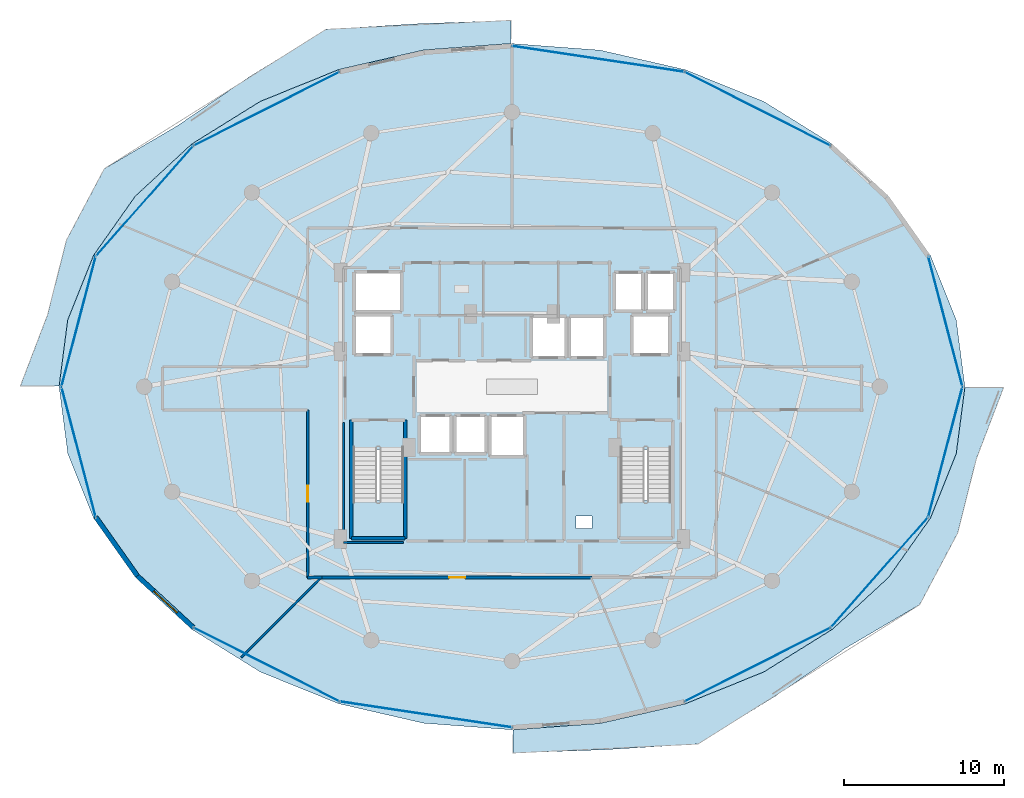
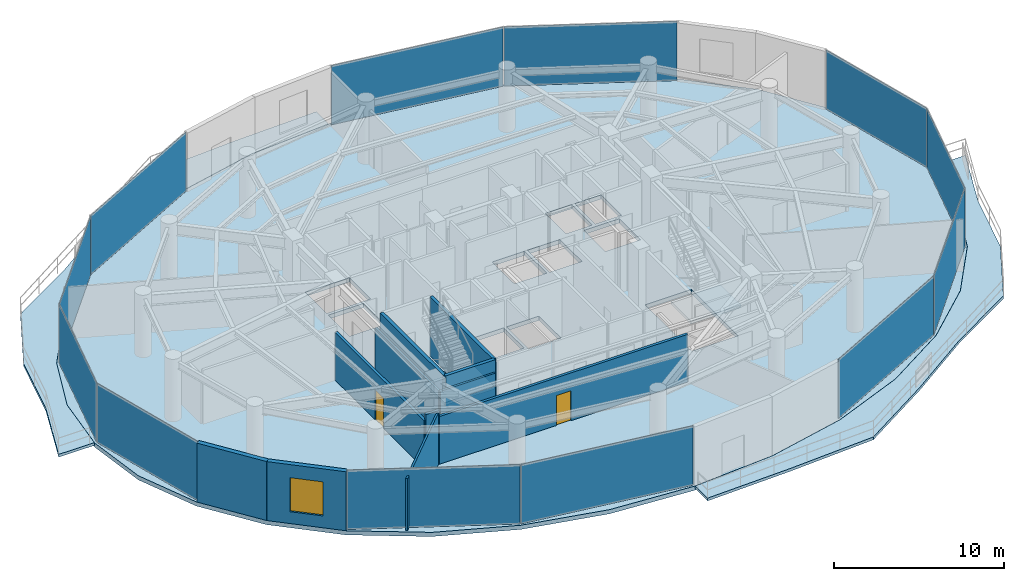
# One storey, part 23 of 31: 12 plates, 11 walls, 5 slabs, 2 doors, 1 window, 3 openings, 6 elements without a shape of their own.
"""IFC4 building model written with IfcOpenShell, lengths in metres."""

from ifc_helpers import new_model, si_unit, direction, frame, frame_2d, origin, origin_2d, place, context, subcontext, project, spatial, polyline, rectangle, outline, extrude, material, layer, layer_set, type_object, element, fill, aggregate, save


model = new_model("IFC4")

# Units and contexts
model_context = context("Model", 3, precision=1e-05, world=origin(), true_north=direction((0.0, 1.0)))
body_context = subcontext(model_context, "Body", "Model", "MODEL_VIEW")
ifc_project = project(units=[si_unit("LENGTHUNIT", "METRE"), si_unit("AREAUNIT", "SQUARE_METRE"), si_unit("VOLUMEUNIT", "CUBIC_METRE"), si_unit("PLANEANGLEUNIT", "RADIAN"), si_unit("MASSUNIT", "GRAM", prefix="KILO")], contexts=[model_context])

# Site, building, storey
site_placement = place(None, origin())
site = spatial("IfcSite", under=ifc_project, at=site_placement, CompositionType="ELEMENT")
building_placement = place(site_placement, origin())
building = spatial("IfcBuilding", under=site, at=building_placement, Name="Vorneva Point Tower", CompositionType="ELEMENT")
storey_placement = place(building_placement, frame((0.0, 0.0, 174.60009765625)))
storey = spatial("IfcBuildingStorey", under=building, at=storey_placement, Name="L47", CompositionType="ELEMENT", Elevation=174.60009765625)

# Curtain wall, plates
ifc_material_1 = material(Name="Pale anodised aluminium", Category="aluminium")
curtain_wall_type = type_object("IfcCurtainWallType", Name="CW-SKY-SYS", PredefinedType="NOTDEFINED", material=ifc_material_1)
curtain_wall_1_placement = place(storey_placement, origin())
curtain_wall_1 = element("IfcCurtainWall", 1, at=curtain_wall_1_placement, inside=storey, type_object=curtain_wall_type, Name="L47 Unitised Curtain Wall CW-L47-R01", PredefinedType="NOTDEFINED")
ifc_material_2 = material(Name="Double low-e laminated glass IGU", Category="glass")
ifc_layer_1 = layer(ifc_material_2, 0.035888671875)
ifc_layer_set_1 = layer_set([ifc_layer_1], Name="Double low-e laminated glass IGU")
plate_type = type_object("IfcPlateType", Name="CW-PNL-VIS", PredefinedType="CURTAIN_PANEL", material=ifc_layer_set_1)
plate_1_placement = place(storey_placement, frame((53.38232421875, 8.589111328125, -0.02001953125), z_axis=(0.0, 0.0, 1.0), x_axis=(0.892514983762, 0.451017742179, 0.0)))
plate_1 = element("IfcPlate", 2, at=plate_1_placement, type_object=plate_type, Name="CW-L47-R01 Glazed Panel 01", PredefinedType="CURTAIN_PANEL", context=body_context, shape_type="SweptSolid", body=[
    extrude(rectangle(XDim=10.21142578125, YDim=0.035888671875, at=origin_2d()), origin(), (0.0, 0.0, 1.0), 4.280029296875),
])
plate_2_placement = place(storey_placement, frame((61.021240234375, 14.366455078125, -0.02001953125), z_axis=(0.0, 0.0, 1.0), x_axis=(0.662110096764, 0.74940657841, 0.0)))
plate_2 = element("IfcPlate", 3, at=plate_2_placement, type_object=plate_type, Name="CW-L47-R01 Glazed Panel 02", PredefinedType="CURTAIN_PANEL", context=body_context, shape_type="SweptSolid", body=[
    extrude(rectangle(XDim=9.1923828125, YDim=0.035888671875, at=origin_2d()), origin(), (0.0, 0.0, 1.0), 4.280029296875),
])
plate_3_placement = place(storey_placement, frame((65.155517578125, 21.914794921875, -0.02001953125), z_axis=(0.0, 0.0, 1.0), x_axis=(0.254365646708, 0.967108121036, 0.0)))
plate_3 = element("IfcPlate", 4, at=plate_3_placement, type_object=plate_type, Name="CW-L47-R01 Glazed Panel 03", PredefinedType="CURTAIN_PANEL", context=body_context, shape_type="SweptSolid", body=[
    extrude(rectangle(XDim=8.398193359375, YDim=0.035888671875, at=origin_2d()), origin(), (0.0, 0.0, 1.0), 4.280029296875),
])
plate_4_placement = place(storey_placement, frame((65.155517578125, 30.085205078125, -0.02001953125), z_axis=(0.0, 0.0, 1.0), x_axis=(-0.254365646708, 0.967108121036, 0.0)))
plate_4 = element("IfcPlate", 5, at=plate_4_placement, type_object=plate_type, Name="CW-L47-R01 Glazed Panel 04", PredefinedType="CURTAIN_PANEL", context=body_context, shape_type="SweptSolid", body=[
    extrude(rectangle(XDim=8.398193359375, YDim=0.035888671875, at=origin_2d()), origin(), (0.0, 0.0, 1.0), 4.280029296875),
])
aggregate(curtain_wall_1, [plate_1, plate_2, plate_3, plate_4])

curtain_wall_2_placement = place(storey_placement, origin())
curtain_wall_2 = element("IfcCurtainWall", 6, at=curtain_wall_2_placement, inside=storey, type_object=curtain_wall_type, Name="L47 Unitised Curtain Wall CW-L47-R02", PredefinedType="NOTDEFINED")
plate_5_placement = place(storey_placement, frame((53.38232421875, 43.410888671875, -0.02001953125), z_axis=(0.0, 0.0, 1.0), x_axis=(-0.892514983762, 0.451017742179, 0.0)))
plate_5 = element("IfcPlate", 7, at=plate_5_placement, type_object=plate_type, Name="CW-L47-R02 Glazed Panel 01", PredefinedType="CURTAIN_PANEL", context=body_context, shape_type="SweptSolid", body=[
    extrude(rectangle(XDim=10.21142578125, YDim=0.035888671875, at=origin_2d()), origin(), (0.0, 0.0, 1.0), 4.280029296875),
])
plate_6_placement = place(storey_placement, frame((43.401611328125, 46.537353515625, -0.02001953125), z_axis=(0.0, 0.0, 1.0), x_axis=(-0.988873520862, 0.148758729957, 0.0)))
plate_6 = element("IfcPlate", 8, at=plate_6_placement, type_object=plate_type, Name="CW-L47-R02 Glazed Panel 02", PredefinedType="CURTAIN_PANEL", context=body_context, shape_type="SweptSolid", body=[
    extrude(rectangle(XDim=10.874755859375, YDim=0.035888671875, at=origin_2d()), origin(), (0.0, 0.0, 1.0), 4.280029296875),
])
aggregate(curtain_wall_2, [plate_5, plate_6])

curtain_wall_3_placement = place(storey_placement, origin())
curtain_wall_3 = element("IfcCurtainWall", 9, at=curtain_wall_3_placement, inside=storey, type_object=curtain_wall_type, Name="L47 Unitised Curtain Wall CW-L47-R03", PredefinedType="NOTDEFINED")
plate_7_placement = place(storey_placement, frame((22.61767578125, 43.410888671875, -0.02001953125), z_axis=(0.0, 0.0, 1.0), x_axis=(-0.892514983762, -0.451017742179, 0.0)))
plate_7 = element("IfcPlate", 10, at=plate_7_placement, type_object=plate_type, Name="CW-L47-R03 Glazed Panel 01", PredefinedType="CURTAIN_PANEL", context=body_context, shape_type="SweptSolid", body=[
    extrude(rectangle(XDim=10.21142578125, YDim=0.035888671875, at=origin_2d()), origin(), (0.0, 0.0, 1.0), 4.280029296875),
])
plate_8_placement = place(storey_placement, frame((14.978759765625, 37.633544921875, -0.02001953125), z_axis=(0.0, 0.0, 1.0), x_axis=(-0.662110096764, -0.74940657841, 0.0)))
plate_8 = element("IfcPlate", 11, at=plate_8_placement, type_object=plate_type, Name="CW-L47-R03 Glazed Panel 02", PredefinedType="CURTAIN_PANEL", context=body_context, shape_type="SweptSolid", body=[
    extrude(rectangle(XDim=9.1923828125, YDim=0.035888671875, at=origin_2d()), origin(), (0.0, 0.0, 1.0), 4.280029296875),
])
plate_9_placement = place(storey_placement, frame((10.844482421875, 30.085205078125, -0.02001953125), z_axis=(0.0, 0.0, 1.0), x_axis=(-0.254365646708, -0.967108121036, 0.0)))
plate_9 = element("IfcPlate", 12, at=plate_9_placement, type_object=plate_type, Name="CW-L47-R03 Glazed Panel 03", PredefinedType="CURTAIN_PANEL", context=body_context, shape_type="SweptSolid", body=[
    extrude(rectangle(XDim=8.398193359375, YDim=0.035888671875, at=origin_2d()), origin(), (0.0, 0.0, 1.0), 4.280029296875),
])
plate_10_placement = place(storey_placement, frame((10.844482421875, 21.914794921875, -0.02001953125), z_axis=(0.0, 0.0, 1.0), x_axis=(0.254365646708, -0.967108121036, 0.0)))
plate_10 = element("IfcPlate", 13, at=plate_10_placement, type_object=plate_type, Name="CW-L47-R03 Glazed Panel 04", PredefinedType="CURTAIN_PANEL", context=body_context, shape_type="SweptSolid", body=[
    extrude(rectangle(XDim=8.398193359375, YDim=0.035888671875, at=origin_2d()), origin(), (0.0, 0.0, 1.0), 4.280029296875),
])
aggregate(curtain_wall_3, [plate_7, plate_8, plate_9, plate_10])

curtain_wall_4_placement = place(storey_placement, origin())
curtain_wall_4 = element("IfcCurtainWall", 14, at=curtain_wall_4_placement, inside=storey, type_object=curtain_wall_type, Name="L47 Unitised Curtain Wall CW-L47-R04", PredefinedType="NOTDEFINED")
plate_11_placement = place(storey_placement, frame((22.61767578125, 8.589111328125, -0.02001953125), z_axis=(0.0, 0.0, 1.0), x_axis=(0.892514983762, -0.451017742179, 0.0)))
plate_11 = element("IfcPlate", 15, at=plate_11_placement, type_object=plate_type, Name="CW-L47-R04 Glazed Panel 01", PredefinedType="CURTAIN_PANEL", context=body_context, shape_type="SweptSolid", body=[
    extrude(rectangle(XDim=10.21142578125, YDim=0.035888671875, at=origin_2d()), origin(), (0.0, 0.0, 1.0), 4.280029296875),
])
plate_12_placement = place(storey_placement, frame((32.598388671875, 5.462646484375, -0.02001953125), z_axis=(0.0, 0.0, 1.0), x_axis=(0.988873520862, -0.148758729957, 0.0)))
plate_12 = element("IfcPlate", 16, at=plate_12_placement, type_object=plate_type, Name="CW-L47-R04 Glazed Panel 02", PredefinedType="CURTAIN_PANEL", context=body_context, shape_type="SweptSolid", body=[
    extrude(rectangle(XDim=10.874755859375, YDim=0.035888671875, at=origin_2d()), origin(), (0.0, 0.0, 1.0), 4.280029296875),
])
aggregate(curtain_wall_4, [plate_11, plate_12])

# Slabs
ifc_material_3 = material(Name="Concrete B50 (C40/50)", Category="concrete")
ifc_layer_2 = layer(ifc_material_3, 0.199951171875)
ifc_layer_set_2 = layer_set([ifc_layer_2], Name="Concrete B50 (C40/50)")
slab_type_1 = type_object("IfcSlabType", Name="SLB-BAL-200", PredefinedType="FLOOR", material=ifc_layer_set_2)
slab_1_placement = place(storey_placement, frame((0.0, 0.0, -0.2001953125)))
element("IfcSlab", 17, at=slab_1_placement, inside=storey, type_object=slab_type_1, Name="L47 Cantilevered Wave Balcony NW", PredefinedType="FLOOR", context=body_context, shape_type="SweptSolid", body=[
    extrude(outline(polyline([(7.194091796875, 26.050048828125), (9.62255859375, 26.050048828125), (10.161376953125, 30.19482421875), (10.161376953125, 30.1953125), (10.16162109375, 30.195556640625), (10.16162109375, 30.19580078125), (11.776611328125, 34.229248046875), (11.77685546875, 34.2294921875), (11.777099609375, 34.22998046875), (14.399658203125, 37.947021484375), (14.39990234375, 37.947509765625), (14.400146484375, 37.94775390625), (17.9296875, 41.205810546875), (17.929931640625, 41.2060546875), (17.93017578125, 41.206298828125), (22.230712890625, 43.8798828125), (22.231201171875, 43.880126953125), (22.2314453125, 43.88037109375), (27.137939453125, 45.8671875), (27.13818359375, 45.8671875), (27.138427734375, 45.8671875), (32.46240234375, 47.0908203125), (32.462646484375, 47.0908203125), (32.462890625, 47.0908203125), (37.949951171875, 47.500244140625), (37.949951171875, 48.953125), (32.212646484375, 48.750244140625), (26.345947265625, 48.391845703125), (21.47314453125, 45.37744140625), (17.0537109375, 42.362548828125), (12.455322265625, 39.662353515625), (10.0693359375, 35.1630859375), (8.90478515625, 30.525390625), (7.194091796875, 26.050048828125)])), origin(), (0.0, 0.0, 1.0), 0.2001953125),
])
slab_2_placement = place(storey_placement, frame((0.0, 0.0, -0.2001953125)))
element("IfcSlab", 18, at=slab_2_placement, inside=storey, type_object=slab_type_1, Name="L47 Cantilevered Wave Balcony SE", PredefinedType="FLOOR", context=body_context, shape_type="SweptSolid", body=[
    extrude(outline(polyline([(67.09521484375, 21.474609375), (68.805908203125, 25.949951171875), (66.37744140625, 25.949951171875), (65.838623046875, 21.80517578125), (65.838623046875, 21.8046875), (65.83837890625, 21.804443359375), (65.83837890625, 21.80419921875), (64.223388671875, 17.770751953125), (64.22314453125, 17.7705078125), (64.222900390625, 17.77001953125), (61.600341796875, 14.052978515625), (61.60009765625, 14.052490234375), (61.599853515625, 14.05224609375), (58.0703125, 10.794189453125), (58.070068359375, 10.7939453125), (58.06982421875, 10.793701171875), (53.769287109375, 8.1201171875), (53.768798828125, 8.119873046875), (53.7685546875, 8.11962890625), (48.862060546875, 6.1328125), (48.86181640625, 6.1328125), (48.861572265625, 6.1328125), (43.53759765625, 4.9091796875), (43.537353515625, 4.9091796875), (43.537109375, 4.9091796875), (38.050048828125, 4.499755859375), (38.050048828125, 3.046875), (43.787353515625, 3.249755859375), (49.654052734375, 3.608154296875), (54.52685546875, 6.62255859375), (58.9462890625, 9.637451171875), (63.544677734375, 12.337646484375), (65.9306640625, 16.8369140625), (67.09521484375, 21.474609375)])), origin(), (0.0, 0.0, 1.0), 0.2001953125),
])

# Stair, slab
stair_type = type_object("IfcStairType", Name="ST-DOG-1500", PredefinedType="HALF_TURN_STAIR", material=ifc_material_3)
stair_1_placement = place(storey_placement, origin())
stair_1 = element("IfcStair", 19, at=stair_1_placement, inside=storey, type_object=stair_type, Name="L47 ST1", PredefinedType="HALF_TURN_STAIR")
ifc_layer_3 = layer(ifc_material_3, 0.199951171875)
ifc_layer_set_3 = layer_set([ifc_layer_3], Name="Concrete B50 (C40/50)")
slab_type_2 = type_object("IfcSlabType", Name="SLB-LND-200", PredefinedType="LANDING", material=ifc_layer_set_3)
slab_3_placement = place(storey_placement, frame((0.0, 0.0, 2.0498046875)))
slab_3 = element("IfcSlab", 20, at=slab_3_placement, type_object=slab_type_2, Name="ST1 landing 1", PredefinedType="LANDING", context=body_context, shape_type="SweptSolid", body=[
    extrude(outline(polyline([(27.929931640625, 16.47998046875), (31.320068359375, 16.47998046875), (31.320068359375, 18.860107421875), (27.929931640625, 18.860107421875), (27.929931640625, 16.47998046875)])), origin(), (0.0, 0.0, 1.0), 0.2001953125),
])
aggregate(stair_1, [slab_3])

stair_2_placement = place(storey_placement, origin())
stair_2 = element("IfcStair", 21, at=stair_2_placement, inside=storey, type_object=stair_type, Name="L47 ST2", PredefinedType="HALF_TURN_STAIR")
slab_4_placement = place(storey_placement, frame((0.0, 0.0, 2.0498046875)))
slab_4 = element("IfcSlab", 22, at=slab_4_placement, type_object=slab_type_2, Name="ST2 landing 1", PredefinedType="LANDING", context=body_context, shape_type="SweptSolid", body=[
    extrude(outline(polyline([(44.679931640625, 16.47998046875), (48.070068359375, 16.47998046875), (48.070068359375, 18.860107421875), (44.679931640625, 18.860107421875), (44.679931640625, 16.47998046875)])), origin(), (0.0, 0.0, 1.0), 0.2001953125),
])
aggregate(stair_2, [slab_4])

# Slab
ifc_layer_4 = layer(ifc_material_3, 0.300048828125)
ifc_layer_set_4 = layer_set([ifc_layer_4], Name="Concrete B50 (C40/50)")
slab_type_3 = type_object("IfcSlabType", Name="SLB-SKY-300", PredefinedType="FLOOR", material=ifc_layer_set_4)
slab_5_placement = place(storey_placement, frame((0.0, 0.0, -0.300048828125)))
element("IfcSlab", 23, at=slab_5_placement, inside=storey, type_object=slab_type_3, Name="L47 Structural Floor Plate", PredefinedType="FLOOR", context=body_context, shape_type="SweptSolid", body=[
    extrude(outline(polyline([(66.3798828125, 26.0), (65.834716796875, 30.1943359375), (64.2197265625, 34.227783203125), (61.59716796875, 37.94482421875), (58.067626953125, 41.202880859375), (53.76708984375, 43.876708984375), (48.860595703125, 45.86328125), (43.53662109375, 47.0869140625), (38.0, 47.5), (32.46337890625, 47.0869140625), (27.139404296875, 45.86328125), (22.23291015625, 43.876708984375), (17.932373046875, 41.202880859375), (14.40283203125, 37.94482421875), (11.7802734375, 34.227783203125), (10.165283203125, 30.1943359375), (9.6201171875, 26.0), (10.165283203125, 21.8056640625), (11.7802734375, 17.772216796875), (14.40283203125, 14.05517578125), (17.932373046875, 10.797119140625), (22.23291015625, 8.123291015625), (27.139404296875, 6.13671875), (32.46337890625, 4.9130859375), (38.0, 4.5), (43.53662109375, 4.9130859375), (48.860595703125, 6.13671875), (53.76708984375, 8.123291015625), (58.067626953125, 10.797119140625), (61.59716796875, 14.05517578125), (64.2197265625, 17.772216796875), (65.834716796875, 21.8056640625), (66.3798828125, 26.0)]), holes=[polyline([(32.199951171875, 21.800048828125), (34.199951171875, 21.800048828125), (34.199951171875, 24.199951171875), (32.199951171875, 24.199951171875), (32.199951171875, 21.800048828125)]), polyline([(34.39990234375, 21.800048828125), (36.39990234375, 21.800048828125), (36.39990234375, 24.199951171875), (34.39990234375, 24.199951171875), (34.39990234375, 21.800048828125)]), polyline([(36.60009765625, 21.60009765625), (38.800048828125, 21.60009765625), (38.800048828125, 24.199951171875), (36.60009765625, 24.199951171875), (36.60009765625, 21.60009765625)]), polyline([(39.199951171875, 27.800048828125), (41.39990234375, 27.800048828125), (41.39990234375, 30.39990234375), (39.199951171875, 30.39990234375), (39.199951171875, 27.800048828125)]), polyline([(41.60009765625, 27.800048828125), (43.800048828125, 27.800048828125), (43.800048828125, 30.39990234375), (41.60009765625, 30.39990234375), (41.60009765625, 27.800048828125)]), polyline([(44.39990234375, 30.739990234375), (46.199951171875, 30.739990234375), (46.199951171875, 33.159912109375), (44.39990234375, 33.159912109375), (44.39990234375, 30.739990234375)]), polyline([(46.39990234375, 30.739990234375), (48.199951171875, 30.739990234375), (48.199951171875, 33.159912109375), (46.39990234375, 33.159912109375), (46.39990234375, 30.739990234375)]), polyline([(28.10009765625, 28.0), (30.5, 28.0), (30.5, 30.5), (28.10009765625, 30.5), (28.10009765625, 28.0)]), polyline([(45.5, 28.0), (47.89990234375, 28.0), (47.89990234375, 30.5), (45.5, 30.5), (45.5, 28.0)]), polyline([(28.10009765625, 30.699951171875), (31.10009765625, 30.699951171875), (31.10009765625, 33.199951171875), (28.10009765625, 33.199951171875), (28.10009765625, 30.699951171875)]), polyline([(28.050048828125, 16.60009765625), (31.199951171875, 16.60009765625), (31.199951171875, 22.080078125), (28.050048828125, 22.080078125), (28.050048828125, 16.60009765625)]), polyline([(44.800048828125, 16.60009765625), (47.949951171875, 16.60009765625), (47.949951171875, 22.080078125), (44.800048828125, 22.080078125), (44.800048828125, 16.60009765625)]), polyline([(42.0, 17.10009765625), (43.0, 17.10009765625), (43.0, 17.89990234375), (42.0, 17.89990234375), (42.0, 17.10009765625)])]), origin(), (0.0, 0.0, 1.0), 0.300048828125),
])

# Wall
ifc_material_4 = material(Name="Precast concrete B50 (C40/50)", Category="concrete")
ifc_layer_5 = layer(ifc_material_4, 0.300048828125)
ifc_layer_set_5 = layer_set([ifc_layer_5], Name="Precast concrete B50 (C40/50)")
wall_type_1 = type_object("IfcWallType", Name="WL-EXT-300", PredefinedType="STANDARD", material=ifc_layer_set_5)
wall_1_placement = place(storey_placement, frame((11.9189453125, 17.82958984375, 0.0), z_axis=(0.0, 0.0, 1.0), x_axis=(0.577168747264, -0.81662490605, 0.0)))
element("IfcWall", 24, at=wall_1_placement, inside=storey, type_object=wall_type_1, Name="L47 Pale-Metal Facade Spandrel Wall 10.1", PredefinedType="STANDARD", context=body_context, shape_type="SweptSolid", body=[
    extrude(rectangle(XDim=4.519775390625, YDim=0.300048828125, at=frame_2d((2.259765625, 0.0))), origin(), (0.0, 0.0, 1.0), 4.239990234375),
])

# Wall, opening, window
wall_2_placement = place(storey_placement, frame((14.527587890625, 14.138671875, 0.0), z_axis=(0.0, 0.0, 1.0), x_axis=(0.735359993374, -0.677676678177, 0.0)))
wall_2 = element("IfcWall", 25, at=wall_2_placement, inside=storey, type_object=wall_type_1, Name="L47 Pale-Metal Facade Spandrel Wall 10.2", PredefinedType="STANDARD", context=body_context, shape_type="SweptSolid", body=[
    extrude(rectangle(XDim=4.774169921875, YDim=0.300048828125, at=frame_2d((2.38720703125, 0.0))), origin(), (0.0, 0.0, 1.0), 4.239990234375),
])
opening_1_placement = place(wall_2_placement, frame((1.38720703125, 0.0, 0.85009765625)))
opening_1 = element("IfcOpeningElement", 26, at=opening_1_placement, cuts=wall_2, Name="Opening W-07", PredefinedType="OPENING", context=body_context, shape_type="SweptSolid", body=[
    extrude(rectangle(XDim=2.0, YDim=2.449951171875, at=frame_2d((1.0, 1.22509765625))), frame((0.0, 0.1650390625, 0.0), z_axis=(0.0, -1.0, 0.0), x_axis=(1.0, 0.0, 0.0)), (0.0, 0.0, 1.0), 0.329833984375),
])
window_type = type_object("IfcWindowType", Name="WN-SKY-2000", PartitioningType="SINGLE_PANEL", PredefinedType="WINDOW", material=ifc_material_2)
window_placement = place(opening_1_placement, origin())
window = element("IfcWindow", 27, at=window_placement, inside=storey, type_object=window_type, Name="L47 Facade Window 10", OverallHeight=2.449951171875, OverallWidth=2.0, PartitioningType="SINGLE_PANEL", PredefinedType="WINDOW", context=body_context, shape_type="SweptSolid", body=[
    extrude(rectangle(XDim=2.0, YDim=2.449951171875, at=frame_2d((1.0, 1.22509765625))), frame((0.0, 0.030029296875, 0.0), z_axis=(0.0, -1.0, 0.0), x_axis=(1.0, 0.0, 0.0)), (0.0, 0.0, 1.0), 0.06005859375),
])
fill(opening_1, window)

# Walls
ifc_material_5 = material(Name="Fire-rated acoustic gypsum stud partition", Category="gypsum")
ifc_layer_6 = layer(ifc_material_5, 0.125)
ifc_layer_set_6 = layer_set([ifc_layer_6], Name="Fire-rated acoustic gypsum stud partition")
wall_type_2 = type_object("IfcWallType", Name="WL-PART-125", PredefinedType="PARTITIONING", material=ifc_layer_set_6)
wall_3_placement = place(storey_placement, frame((21.041015625, 9.041015625, 0.0), z_axis=(0.0, 0.0, 1.0), x_axis=(0.707106781187, 0.707106781187, 0.0)))
element("IfcWall", 28, at=wall_3_placement, inside=storey, type_object=wall_type_2, Name="L47 Interior Partition 050", PredefinedType="PARTITIONING", context=body_context, shape_type="SweptSolid", body=[
    extrude(rectangle(XDim=7.083740234375, YDim=0.125, at=frame_2d((3.5419921875, 0.0))), origin(), (0.0, 0.0, 1.0), 3.727783203125),
])
ifc_layer_7 = layer(ifc_material_5, 0.139892578125)
ifc_layer_set_7 = layer_set([ifc_layer_7], Name="Fire-rated acoustic gypsum stud partition")
wall_type_3 = type_object("IfcWallType", Name="WL-PART-140", PredefinedType="PARTITIONING", material=ifc_layer_set_7)
wall_4_placement = place(storey_placement, frame((27.449951171875, 23.75390625, 0.0), z_axis=(0.0, 0.0, 1.0), x_axis=(0.0, -1.0, 0.0)))
element("IfcWall", 29, at=wall_4_placement, inside=storey, type_object=wall_type_3, Name="L47 Interior Closure Partition 072", PredefinedType="PARTITIONING", context=body_context, shape_type="SweptSolid", body=[
    extrude(rectangle(XDim=7.513916015625, YDim=0.139892578125, at=frame_2d((3.7568359375, 0.0))), origin(), (0.0, 0.0, 1.0), 3.431884765625),
])
wall_5_placement = place(storey_placement, frame((27.449951171875, 16.239990234375, 0.0), z_axis=(0.0, 0.0, 1.0), x_axis=(1.0, 0.0, 0.0)))
element("IfcWall", 30, at=wall_5_placement, inside=storey, type_object=wall_type_3, Name="L47 Interior Closure Partition 073", PredefinedType="PARTITIONING", context=body_context, shape_type="SweptSolid", body=[
    extrude(rectangle(XDim=3.7451171875, YDim=0.139892578125, at=frame_2d((1.87255859375, 0.0))), origin(), (0.0, 0.0, 1.0), 3.431884765625),
])

# Wall, opening, door
ifc_material_6 = material(Name="Autoclaved aerated concrete blockwork", Category="masonry")
ifc_layer_8 = layer(ifc_material_6, 0.179931640625)
ifc_layer_set_8 = layer_set([ifc_layer_8], Name="Autoclaved aerated concrete blockwork")
wall_type_4 = type_object("IfcWallType", Name="WL-PART-180", PredefinedType="PARTITIONING", material=ifc_layer_set_8)
wall_6_placement = place(storey_placement, frame((25.199951171875, 24.550048828125, 0.0), z_axis=(0.0, 0.0, 1.0), x_axis=(0.0, -1.0, 0.0)))
wall_6 = element("IfcWall", 31, at=wall_6_placement, inside=storey, type_object=wall_type_4, Name="L47 Interior Partition 035", PredefinedType="PARTITIONING", context=body_context, shape_type="SweptSolid", body=[
    extrude(rectangle(XDim=10.5, YDim=0.179931640625, at=frame_2d((5.25, 0.0))), origin(), (0.0, 0.0, 1.0), 3.431884765625),
])
opening_2_placement = place(wall_6_placement, frame((4.75, 0.0, 0.0)))
opening_2 = element("IfcOpeningElement", 32, at=opening_2_placement, cuts=wall_6, Name="Opening UD-01", PredefinedType="OPENING", context=body_context, shape_type="SweptSolid", body=[
    extrude(rectangle(XDim=1.0, YDim=2.14990234375, at=frame_2d((0.5, 1.074951171875))), frame((0.0, 0.10498046875, 0.0), z_axis=(0.0, -1.0, 0.0), x_axis=(1.0, 0.0, 0.0)), (0.0, 0.0, 1.0), 0.209716796875),
])
ifc_material_7 = material(Name="Engineered oak fire-rated door leaf", Category="wood")
door_type = type_object("IfcDoorType", Name="DR-UNIT-1000", OperationType="NOTDEFINED", PredefinedType="DOOR", material=ifc_material_7)
door_1_placement = place(opening_2_placement, origin())
door_1 = element("IfcDoor", 33, at=door_1_placement, inside=storey, type_object=door_type, Name="L47 Door L47 Circulation Corridor / Wellness Spa and Fitness Hall L47", OperationType="SINGLE_SWING_LEFT", OverallHeight=2.14990234375, OverallWidth=1.0, PredefinedType="DOOR", context=body_context, shape_type="SweptSolid", body=[
    extrude(rectangle(XDim=1.0, YDim=2.14990234375, at=frame_2d((0.5, 1.074951171875))), frame((0.0, 0.02490234375, 0.0), z_axis=(0.0, -1.0, 0.0), x_axis=(1.0, 0.0, 0.0)), (0.0, 0.0, 1.0), 0.050048828125),
])
fill(opening_2, door_1)

# Wall
wall_7_placement = place(storey_placement, frame((25.199951171875, 14.050048828125, 0.0), z_axis=(0.0, 0.0, 1.0), x_axis=(1.0, 0.0, 0.0)))
element("IfcWall", 34, at=wall_7_placement, inside=storey, type_object=wall_type_4, Name="L47 Interior Partition 036", PredefinedType="PARTITIONING", context=body_context, shape_type="SweptSolid", body=[
    extrude(rectangle(XDim=0.91015625, YDim=0.179931640625, at=frame_2d((0.455078125, 0.0))), origin(), (0.0, 0.0, 1.0), 3.885986328125),
])

# Wall, opening, door
wall_8_placement = place(storey_placement, frame((26.110107421875, 14.050048828125, 0.0), z_axis=(0.0, 0.0, 1.0), x_axis=(1.0, 0.0, 0.0)))
wall_8 = element("IfcWall", 35, at=wall_8_placement, inside=storey, type_object=wall_type_4, Name="L47 Interior Partition 039", PredefinedType="PARTITIONING", context=body_context, shape_type="SweptSolid", body=[
    extrude(rectangle(XDim=16.90478515625, YDim=0.179931640625, at=frame_2d((8.452392578125, 0.0))), origin(), (0.0, 0.0, 1.0), 3.431884765625),
])
opening_3_placement = place(wall_8_placement, frame((7.952392578125, 0.0, 0.0)))
opening_3 = element("IfcOpeningElement", 36, at=opening_3_placement, cuts=wall_8, Name="Opening UD-01", PredefinedType="OPENING", context=body_context, shape_type="SweptSolid", body=[
    extrude(rectangle(XDim=1.0, YDim=2.14990234375, at=frame_2d((0.5, 1.074951171875))), frame((0.0, 0.10498046875, 0.0), z_axis=(0.0, -1.0, 0.0), x_axis=(1.0, 0.0, 0.0)), (0.0, 0.0, 1.0), 0.209716796875),
])
door_2_placement = place(opening_3_placement, origin())
door_2 = element("IfcDoor", 37, at=door_2_placement, inside=storey, type_object=door_type, Name="L47 Door L47 Circulation Corridor / Residents Co-Working Library L47", OperationType="SINGLE_SWING_RIGHT", OverallHeight=2.14990234375, OverallWidth=1.0, PredefinedType="DOOR", context=body_context, shape_type="SweptSolid", body=[
    extrude(rectangle(XDim=1.0, YDim=2.14990234375, at=frame_2d((0.5, 1.074951171875))), frame((0.0, 0.02490234375, 0.0), z_axis=(0.0, -1.0, 0.0), x_axis=(1.0, 0.0, 0.0)), (0.0, 0.0, 1.0), 0.050048828125),
])
fill(opening_3, door_2)

# Walls
ifc_layer_9 = layer(ifc_material_3, 0.219970703125)
ifc_layer_set_9 = layer_set([ifc_layer_9], Name="Concrete B50 (C40/50)")
wall_type_5 = type_object("IfcWallType", Name="WL-SHFT-220", PredefinedType="SOLIDWALL", material=ifc_layer_set_9)
wall_9_placement = place(storey_placement, frame((31.31005859375, 23.909912109375, 0.0), z_axis=(0.0, 0.0, 1.0), x_axis=(0.0, -1.0, 0.0)))
element("IfcWall", 38, at=wall_9_placement, inside=storey, type_object=wall_type_5, Name="L47 Exit Stair ST1 Shaft Wall right", PredefinedType="SOLIDWALL", context=body_context, shape_type="SweptSolid", body=[
    extrude(rectangle(XDim=7.419921875, YDim=0.219970703125, at=frame_2d((3.7099609375, 0.0))), origin(), (0.0, 0.0, 1.0), 4.239990234375),
])
wall_10_placement = place(storey_placement, frame((31.31005859375, 16.489990234375, 0.0), z_axis=(0.0, 0.0, 1.0), x_axis=(-1.0, 0.0, 0.0)))
element("IfcWall", 39, at=wall_10_placement, inside=storey, type_object=wall_type_5, Name="L47 Exit Stair ST1 Shaft Wall far", PredefinedType="SOLIDWALL", context=body_context, shape_type="SweptSolid", body=[
    extrude(rectangle(XDim=3.3701171875, YDim=0.219970703125, at=frame_2d((1.68505859375, 0.0))), origin(), (0.0, 0.0, 1.0), 4.239990234375),
])
wall_11_placement = place(storey_placement, frame((27.93994140625, 16.489990234375, 0.0), z_axis=(0.0, 0.0, 1.0), x_axis=(0.0, 1.0, 0.0)))
element("IfcWall", 40, at=wall_11_placement, inside=storey, type_object=wall_type_5, Name="L47 Exit Stair ST1 Shaft Wall left", PredefinedType="SOLIDWALL", context=body_context, shape_type="SweptSolid", body=[
    extrude(rectangle(XDim=7.419921875, YDim=0.219970703125, at=frame_2d((3.7099609375, 0.0))), origin(), (0.0, 0.0, 1.0), 4.239990234375),
])

save(model, "model.ifc")
